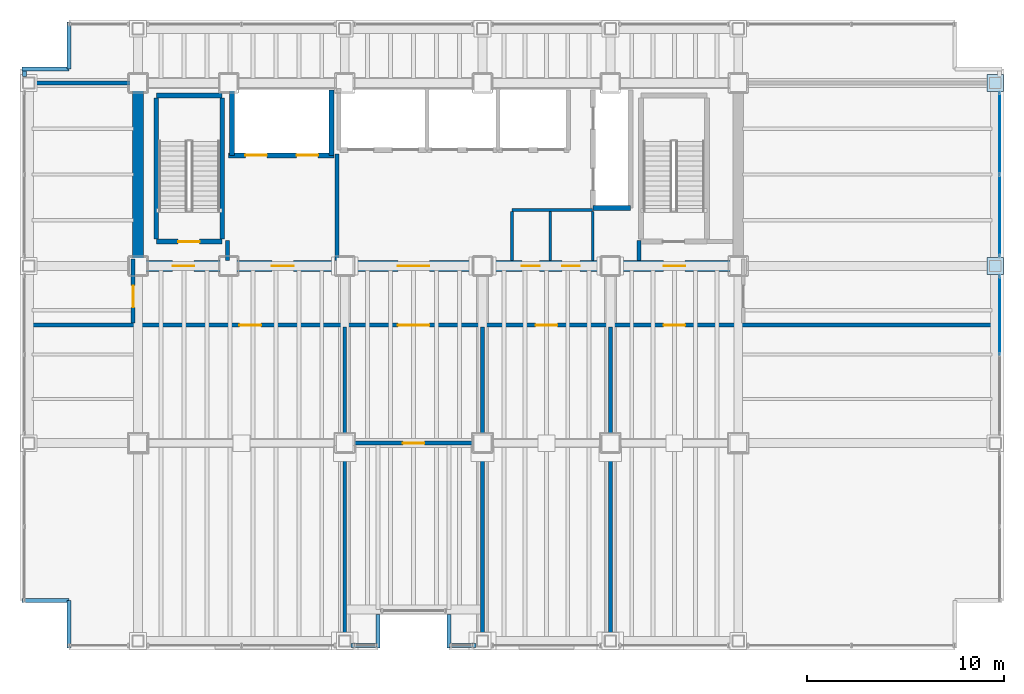
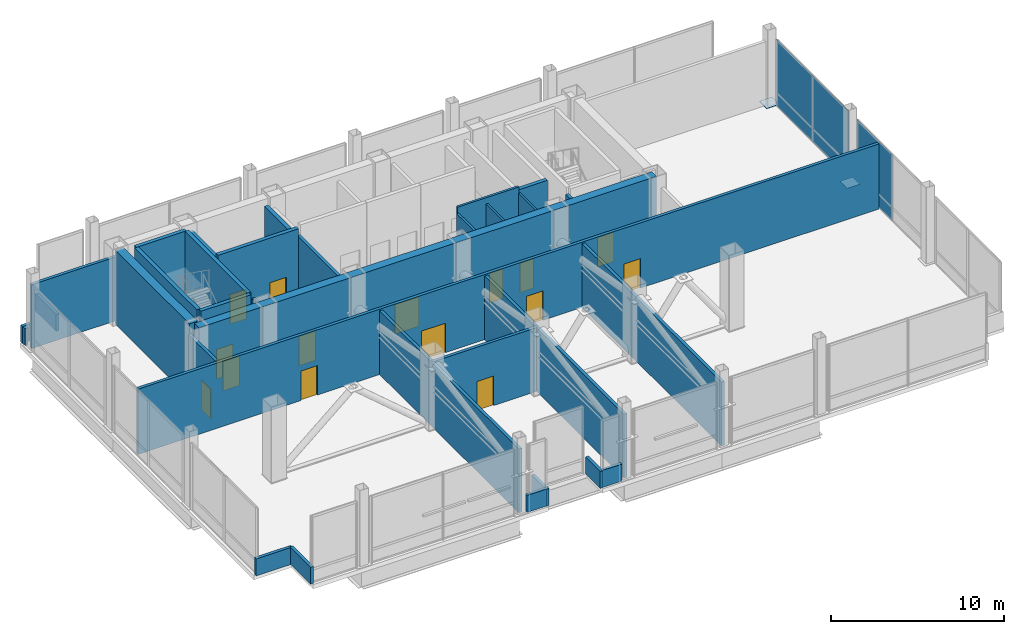
# One storey, part 18 of 20: 33 walls, 15 doors, 5 plates, 15 openings, 2 elements without a shape of their own.
"""IFC4 building model written with IfcOpenShell, lengths in metres."""

from ifc_helpers import new_model, si_unit, direction, frame, frame_2d, origin, origin_2d, place, context, subcontext, project, spatial, rectangle, extrude, material, layer, layer_set, type_object, element, fill, aggregate, save


model = new_model("IFC4")

# Units and contexts
model_context = context("Model", 3, precision=1e-05, world=origin(), true_north=direction((0.0, 1.0)))
body_context = subcontext(model_context, "Body", "Model", "MODEL_VIEW")
ifc_project = project(units=[si_unit("LENGTHUNIT", "METRE"), si_unit("AREAUNIT", "SQUARE_METRE"), si_unit("VOLUMEUNIT", "CUBIC_METRE"), si_unit("PLANEANGLEUNIT", "RADIAN"), si_unit("MASSUNIT", "GRAM", prefix="KILO")], contexts=[model_context])

# Site, building, storey
site_placement = place(None, origin())
site = spatial("IfcSite", under=ifc_project, at=site_placement, CompositionType="ELEMENT")
building_placement = place(site_placement, origin())
building = spatial("IfcBuilding", under=site, at=building_placement, Name="Noeulbin Bourse Tower", CompositionType="ELEMENT")
storey_placement = place(building_placement, frame((0.0, 0.0, 100.60009765625)))
storey = spatial("IfcBuildingStorey", under=building, at=storey_placement, Name="L25", CompositionType="ELEMENT", Elevation=100.60009765625)

# Curtain wall, plate
ifc_material_1 = material(Name="Translucent Ceramic-Fritted Glass", Category="glass")
curtain_wall_type = type_object("IfcCurtainWallType", Name="CW-SYS-5", PredefinedType="NOTDEFINED", material=ifc_material_1)
curtain_wall_1_placement = place(storey_placement, origin())
curtain_wall_1 = element("IfcCurtainWall", 1, at=curtain_wall_1_placement, inside=storey, type_object=curtain_wall_type, Name="Unitised Curtain Wall CW-L25-E-S2", PredefinedType="NOTDEFINED")
ifc_layer_1 = layer(ifc_material_1, 0.035888671875)
ifc_layer_set_1 = layer_set([ifc_layer_1], Name="Translucent Ceramic-Fritted Glass")
plate_type_1 = type_object("IfcPlateType", Name="CW-SYS-5-PNL", PredefinedType="CURTAIN_PANEL", material=ifc_layer_set_1)
plate_1_placement = place(storey_placement, frame((57.280029296875, 26.52001953125, 0.0), z_axis=(0.0, 0.0, 1.0), x_axis=(0.0, 1.0, 0.0)))
plate_1 = element("IfcPlate", 2, at=plate_1_placement, type_object=plate_type_1, Name="Glazed Curtain Panel CW-L25-E-S2-P01", PredefinedType="CURTAIN_PANEL", context=body_context, shape_type="SweptSolid", body=[
    extrude(rectangle(XDim=4.0400390625, YDim=0.035888671875, at=origin_2d()), origin(), (0.0, 0.0, 1.0), 4.679931640625),
])
aggregate(curtain_wall_1, [plate_1])

# Curtain wall, plates
curtain_wall_2_placement = place(storey_placement, origin())
curtain_wall_2 = element("IfcCurtainWall", 3, at=curtain_wall_2_placement, inside=storey, type_object=curtain_wall_type, Name="Unitised Curtain Wall CW-L25-E-S3", PredefinedType="NOTDEFINED")
plate_2_placement = place(storey_placement, frame((57.280029296875, 31.554931640625, 0.0), z_axis=(0.0, 0.0, 1.0), x_axis=(0.0, 1.0, 0.0)))
plate_2 = element("IfcPlate", 4, at=plate_2_placement, type_object=plate_type_1, Name="Glazed Curtain Panel CW-L25-E-S3-P00", PredefinedType="CURTAIN_PANEL", context=body_context, shape_type="SweptSolid", body=[
    extrude(rectangle(XDim=4.18994140625, YDim=0.035888671875, at=origin_2d()), origin(), (0.0, 0.0, 1.0), 4.679931640625),
])
plate_3_placement = place(storey_placement, frame((57.280029296875, 35.7451171875, 0.0), z_axis=(0.0, 0.0, 1.0), x_axis=(0.0, 1.0, 0.0)))
plate_3 = element("IfcPlate", 5, at=plate_3_placement, type_object=plate_type_1, Name="Glazed Curtain Panel CW-L25-E-S3-P01", PredefinedType="CURTAIN_PANEL", context=body_context, shape_type="SweptSolid", body=[
    extrude(rectangle(XDim=4.18994140625, YDim=0.035888671875, at=origin_2d()), origin(), (0.0, 0.0, 1.0), 4.679931640625),
])
aggregate(curtain_wall_2, [plate_2, plate_3])

# Plates
ifc_material_2 = material(Name="Steel S355", Category="steel")
ifc_layer_2 = layer(ifc_material_2, 0.030029296875)
ifc_layer_set_2 = layer_set([ifc_layer_2], Name="Steel S355")
plate_type_2 = type_object("IfcPlateType", Name="PLT-BN1", PredefinedType="USERDEFINED", material=ifc_layer_set_2)
for number, where, z_axis, x_axis, name in (
    (6, (57.050048828125, 29.0, 0.0048828125), (0.0, 0.0, 1.0), (1.0, 0.0, 0.0), "Perimeter Column Splice Plate BN1-L25-15"),
    (7, (57.050048828125, 38.300048828125, 0.0048828125), (0.0, 0.0, 1.0), (1.0, 0.0, 0.0), "Perimeter Column Splice Plate BN1-L25-16"),
):
    element("IfcPlate", number, at=place(storey_placement, frame(where, z_axis=z_axis, x_axis=x_axis)), inside=storey, type_object=plate_type_2, Name=name, ObjectType="SPLICE PLATE", PredefinedType="USERDEFINED", context=body_context, shape_type="SweptSolid", body=[
        extrude(rectangle(XDim=0.85009765625, YDim=0.85009765625, at=origin_2d()), origin(), (0.0, 0.0, 1.0), 0.030029296875),
    ])

# Wall, openings, doors
ifc_material_3 = material(Name="Concrete C60/75", Category="concrete")
ifc_layer_3 = layer(ifc_material_3, 0.550048828125)
ifc_layer_set_3 = layer_set([ifc_layer_3], Name="Concrete C60/75")
wall_type_1 = type_object("IfcWallType", Name="WAL-CORE-550", PredefinedType="SHEAR", material=ifc_layer_set_3)
wall_1_placement = place(storey_placement, frame((13.5, 29.0, 0.0), z_axis=(0.0, 0.0, 1.0), x_axis=(1.0, 0.0, 0.0)))
wall_1 = element("IfcWall", 8, at=wall_1_placement, inside=storey, type_object=wall_type_1, Name="Rear Core South Shear Wall L25", PredefinedType="SHEAR", context=body_context, shape_type="SweptSolid", body=[
    extrude(rectangle(XDim=30.5, YDim=0.550048828125, at=frame_2d((15.25, 0.0))), origin(), (0.0, 0.0, 1.0), 5.219970703125),
])
opening_1_placement = place(wall_1_placement, frame((1.75, 0.0, 0.0)))
opening_1 = element("IfcOpeningElement", 9, at=opening_1_placement, cuts=wall_1, Name="Opening FD-11", PredefinedType="OPENING", context=body_context, shape_type="SweptSolid", body=[
    extrude(rectangle(XDim=1.10009765625, YDim=2.080078125, at=frame_2d((0.550048828125, 1.0400390625))), frame((0.0, 0.284912109375, 0.0), z_axis=(0.0, -1.0, 0.0), x_axis=(1.0, 0.0, 0.0)), (0.0, 0.0, 1.0), 0.570068359375),
])
opening_2_placement = place(wall_1_placement, frame((26.699951171875, 0.0, 0.0)))
opening_2 = element("IfcOpeningElement", 10, at=opening_2_placement, cuts=wall_1, Name="Opening FD-11", PredefinedType="OPENING", context=body_context, shape_type="SweptSolid", body=[
    extrude(rectangle(XDim=1.10009765625, YDim=2.080078125, at=frame_2d((0.550048828125, 1.0400390625))), frame((0.0, 0.284912109375, 0.0), z_axis=(0.0, -1.0, 0.0), x_axis=(1.0, 0.0, 0.0)), (0.0, 0.0, 1.0), 0.570068359375),
])
opening_3_placement = place(wall_1_placement, frame((6.800048828125, 0.0, 0.0)))
opening_3 = element("IfcOpeningElement", 11, at=opening_3_placement, cuts=wall_1, Name="Opening FD-11", PredefinedType="OPENING", context=body_context, shape_type="SweptSolid", body=[
    extrude(rectangle(XDim=1.10009765625, YDim=2.080078125, at=frame_2d((0.550048828125, 1.0400390625))), frame((0.0, 0.284912109375, 0.0), z_axis=(0.0, -1.0, 0.0), x_axis=(1.0, 0.0, 0.0)), (0.0, 0.0, 1.0), 0.570068359375),
])
opening_4_placement = place(wall_1_placement, frame((13.199951171875, 0.0, 0.0)))
opening_4 = element("IfcOpeningElement", 12, at=opening_4_placement, cuts=wall_1, Name="Opening ID-16", PredefinedType="OPENING", context=body_context, shape_type="SweptSolid", body=[
    extrude(rectangle(XDim=1.60009765625, YDim=2.080078125, at=frame_2d((0.800048828125, 1.0400390625))), frame((0.0, 0.284912109375, 0.0), z_axis=(0.0, -1.0, 0.0), x_axis=(1.0, 0.0, 0.0)), (0.0, 0.0, 1.0), 0.570068359375),
])
opening_5_placement = place(wall_1_placement, frame((19.5, 0.0, 0.0)))
opening_5 = element("IfcOpeningElement", 13, at=opening_5_placement, cuts=wall_1, Name="Opening FD-09", PredefinedType="OPENING", context=body_context, shape_type="SweptSolid", body=[
    extrude(rectangle(XDim=0.89990234375, YDim=2.080078125, at=frame_2d((0.449951171875, 1.0400390625))), frame((0.0, 0.284912109375, 0.0), z_axis=(0.0, -1.0, 0.0), x_axis=(1.0, 0.0, 0.0)), (0.0, 0.0, 1.0), 0.570068359375),
])
opening_6_placement = place(wall_1_placement, frame((21.550048828125, 0.0, 0.0)))
opening_6 = element("IfcOpeningElement", 14, at=opening_6_placement, cuts=wall_1, Name="Opening FD-09", PredefinedType="OPENING", context=body_context, shape_type="SweptSolid", body=[
    extrude(rectangle(XDim=0.89990234375, YDim=2.080078125, at=frame_2d((0.449951171875, 1.0400390625))), frame((0.0, 0.284912109375, 0.0), z_axis=(0.0, -1.0, 0.0), x_axis=(1.0, 0.0, 0.0)), (0.0, 0.0, 1.0), 0.570068359375),
])
ifc_material_4 = material(Name="Acoustic Glazed Aluminium", Category="aluminium")
door_type_1 = type_object("IfcDoorType", Name="DR-DBL-1600", OperationType="DOUBLE_DOOR_SINGLE_SWING", PredefinedType="DOOR", material=ifc_material_4)
door_1_placement = place(opening_4_placement, origin())
door_1 = element("IfcDoor", 15, at=door_1_placement, inside=storey, type_object=door_type_1, Name="Passenger Lift Lobby Portal L25", OperationType="DOUBLE_DOOR_SINGLE_SWING", OverallHeight=2.080078125, OverallWidth=1.60009765625, PredefinedType="DOOR", context=body_context, shape_type="SweptSolid", body=[
    extrude(rectangle(XDim=1.60009765625, YDim=2.080078125, at=frame_2d((0.800048828125, 1.0400390625))), frame((0.0, 0.02490234375, 0.0), z_axis=(0.0, -1.0, 0.0), x_axis=(1.0, 0.0, 0.0)), (0.0, 0.0, 1.0), 0.050048828125),
])
fill(opening_4, door_1)
ifc_material_5 = material(Name="Fire-Rated Timber Core", Category="wood")
door_type_2 = type_object("IfcDoorType", Name="DR-FD30-900", OperationType="SINGLE_SWING_RIGHT", PredefinedType="DOOR", material=ifc_material_5)
door_2_placement = place(opening_5_placement, origin())
door_2 = element("IfcDoor", 16, at=door_2_placement, inside=storey, type_object=door_type_2, Name="Interior Door L25-05", OperationType="SINGLE_SWING_LEFT", OverallHeight=2.080078125, OverallWidth=0.89990234375, PredefinedType="DOOR", context=body_context, shape_type="SweptSolid", body=[
    extrude(rectangle(XDim=0.89990234375, YDim=2.080078125, at=frame_2d((0.449951171875, 1.0400390625))), frame((0.0, 0.02490234375, 0.0), z_axis=(0.0, -1.0, 0.0), x_axis=(1.0, 0.0, 0.0)), (0.0, 0.0, 1.0), 0.050048828125),
])
fill(opening_5, door_2)
door_3_placement = place(opening_6_placement, origin())
door_3 = element("IfcDoor", 17, at=door_3_placement, inside=storey, type_object=door_type_2, Name="Interior Door L25-06", OperationType="SINGLE_SWING_RIGHT", OverallHeight=2.080078125, OverallWidth=0.89990234375, PredefinedType="DOOR", context=body_context, shape_type="SweptSolid", body=[
    extrude(rectangle(XDim=0.89990234375, YDim=2.080078125, at=frame_2d((0.449951171875, 1.0400390625))), frame((0.0, 0.02490234375, 0.0), z_axis=(0.0, -1.0, 0.0), x_axis=(1.0, 0.0, 0.0)), (0.0, 0.0, 1.0), 0.050048828125),
])
fill(opening_6, door_3)
ifc_material_6 = material(Name="Fire-Rated Insulated Steel", Category="steel")
door_type_3 = type_object("IfcDoorType", Name="DR-FD60-1100", OperationType="SINGLE_SWING_LEFT", PredefinedType="DOOR", material=ifc_material_6)
door_4_placement = place(opening_1_placement, origin())
door_4 = element("IfcDoor", 18, at=door_4_placement, inside=storey, type_object=door_type_3, Name="West Stair Lobby Door L25", OperationType="SINGLE_SWING_LEFT", OverallHeight=2.080078125, OverallWidth=1.10009765625, PredefinedType="DOOR", context=body_context, shape_type="SweptSolid", body=[
    extrude(rectangle(XDim=1.10009765625, YDim=2.080078125, at=frame_2d((0.550048828125, 1.0400390625))), frame((0.0, 0.02490234375, 0.0), z_axis=(0.0, -1.0, 0.0), x_axis=(1.0, 0.0, 0.0)), (0.0, 0.0, 1.0), 0.050048828125),
])
fill(opening_1, door_4)
door_5_placement = place(opening_2_placement, origin())
door_5 = element("IfcDoor", 19, at=door_5_placement, inside=storey, type_object=door_type_3, Name="East Stair Lobby Door L25", OperationType="SINGLE_SWING_RIGHT", OverallHeight=2.080078125, OverallWidth=1.10009765625, PredefinedType="DOOR", context=body_context, shape_type="SweptSolid", body=[
    extrude(rectangle(XDim=1.10009765625, YDim=2.080078125, at=frame_2d((0.550048828125, 1.0400390625))), frame((0.0, 0.02490234375, 0.0), z_axis=(0.0, -1.0, 0.0), x_axis=(1.0, 0.0, 0.0)), (0.0, 0.0, 1.0), 0.050048828125),
])
fill(opening_2, door_5)
door_6_placement = place(opening_3_placement, origin())
door_6 = element("IfcDoor", 20, at=door_6_placement, inside=storey, type_object=door_type_3, Name="Firefighting Lobby Door L25", OperationType="SINGLE_SWING_LEFT", OverallHeight=2.080078125, OverallWidth=1.10009765625, PredefinedType="DOOR", context=body_context, shape_type="SweptSolid", body=[
    extrude(rectangle(XDim=1.10009765625, YDim=2.080078125, at=frame_2d((0.550048828125, 1.0400390625))), frame((0.0, 0.02490234375, 0.0), z_axis=(0.0, -1.0, 0.0), x_axis=(1.0, 0.0, 0.0)), (0.0, 0.0, 1.0), 0.050048828125),
])
fill(opening_3, door_6)

# Wall
wall_2_placement = place(storey_placement, frame((13.5, 29.35009765625, 0.0), z_axis=(0.0, 0.0, 1.0), x_axis=(0.0, 1.0, 0.0)))
element("IfcWall", 21, at=wall_2_placement, inside=storey, type_object=wall_type_1, Name="Rear Core West Shear Wall L25", PredefinedType="SHEAR", context=body_context, shape_type="SweptSolid", body=[
    extrude(rectangle(XDim=8.599853515625, YDim=0.550048828125, at=frame_2d((4.2998046875, 0.0))), origin(), (0.0, 0.0, 1.0), 5.219970703125),
])

# Wall, openings, doors
ifc_material_7 = material(Name="Concrete C40/50", Category="concrete")
ifc_layer_4 = layer(ifc_material_7, 0.199951171875)
ifc_layer_set_4 = layer_set([ifc_layer_4], Name="Concrete C40/50")
wall_type_2 = type_object("IfcWallType", Name="WAL-FIRE-200", PredefinedType="STANDARD", material=ifc_layer_set_4)
wall_3_placement = place(storey_placement, frame((7.81005859375, 26.0, 0.0), z_axis=(0.0, 0.0, 1.0), x_axis=(1.0, 0.0, 0.0)))
wall_3 = element("IfcWall", 22, at=wall_3_placement, inside=storey, type_object=wall_type_2, Name="Interior Partition Wall L25-03", PredefinedType="STANDARD", context=body_context, shape_type="SweptSolid", body=[
    extrude(rectangle(XDim=49.3798828125, YDim=0.199951171875, at=frame_2d((24.68994140625, 0.0))), origin(), (0.0, 0.0, 1.0), 4.599853515625),
])
opening_7_placement = place(wall_3_placement, frame((10.840087890625, 0.0, 0.0)))
opening_7 = element("IfcOpeningElement", 23, at=opening_7_placement, cuts=wall_3, Name="Opening FD-11", PredefinedType="OPENING", context=body_context, shape_type="SweptSolid", body=[
    extrude(rectangle(XDim=1.10009765625, YDim=2.080078125, at=frame_2d((0.550048828125, 1.0400390625))), frame((0.0, 0.10986328125, 0.0), z_axis=(0.0, -1.0, 0.0), x_axis=(1.0, 0.0, 0.0)), (0.0, 0.0, 1.0), 0.219970703125),
])
opening_8_placement = place(wall_3_placement, frame((18.889892578125, 0.0, 0.0)))
opening_8 = element("IfcOpeningElement", 24, at=opening_8_placement, cuts=wall_3, Name="Opening ID-16", PredefinedType="OPENING", context=body_context, shape_type="SweptSolid", body=[
    extrude(rectangle(XDim=1.60009765625, YDim=2.080078125, at=frame_2d((0.800048828125, 1.0400390625))), frame((0.0, 0.10986328125, 0.0), z_axis=(0.0, -1.0, 0.0), x_axis=(1.0, 0.0, 0.0)), (0.0, 0.0, 1.0), 0.219970703125),
])
opening_9_placement = place(wall_3_placement, frame((25.889892578125, 0.0, 0.0)))
opening_9 = element("IfcOpeningElement", 25, at=opening_9_placement, cuts=wall_3, Name="Opening FD-11", PredefinedType="OPENING", context=body_context, shape_type="SweptSolid", body=[
    extrude(rectangle(XDim=1.10009765625, YDim=2.080078125, at=frame_2d((0.550048828125, 1.0400390625))), frame((0.0, 0.10986328125, 0.0), z_axis=(0.0, -1.0, 0.0), x_axis=(1.0, 0.0, 0.0)), (0.0, 0.0, 1.0), 0.219970703125),
])
opening_10_placement = place(wall_3_placement, frame((32.389892578125, 0.0, 0.0)))
opening_10 = element("IfcOpeningElement", 26, at=opening_10_placement, cuts=wall_3, Name="Opening FD-11", PredefinedType="OPENING", context=body_context, shape_type="SweptSolid", body=[
    extrude(rectangle(XDim=1.10009765625, YDim=2.080078125, at=frame_2d((0.550048828125, 1.0400390625))), frame((0.0, 0.10986328125, 0.0), z_axis=(0.0, -1.0, 0.0), x_axis=(1.0, 0.0, 0.0)), (0.0, 0.0, 1.0), 0.219970703125),
])
door_7_placement = place(opening_8_placement, origin())
door_7 = element("IfcDoor", 27, at=door_7_placement, inside=storey, type_object=door_type_1, Name="Interior Door L25-10", OperationType="DOUBLE_DOOR_SINGLE_SWING", OverallHeight=2.080078125, OverallWidth=1.60009765625, PredefinedType="DOOR", context=body_context, shape_type="SweptSolid", body=[
    extrude(rectangle(XDim=1.60009765625, YDim=2.080078125, at=frame_2d((0.800048828125, 1.0400390625))), frame((0.0, 0.02490234375, 0.0), z_axis=(0.0, -1.0, 0.0), x_axis=(1.0, 0.0, 0.0)), (0.0, 0.0, 1.0), 0.050048828125),
])
fill(opening_8, door_7)
door_8_placement = place(opening_7_placement, origin())
door_8 = element("IfcDoor", 28, at=door_8_placement, inside=storey, type_object=door_type_3, Name="Interior Door L25-09", OperationType="SINGLE_SWING_LEFT", OverallHeight=2.080078125, OverallWidth=1.10009765625, PredefinedType="DOOR", context=body_context, shape_type="SweptSolid", body=[
    extrude(rectangle(XDim=1.10009765625, YDim=2.080078125, at=frame_2d((0.550048828125, 1.0400390625))), frame((0.0, 0.02490234375, 0.0), z_axis=(0.0, -1.0, 0.0), x_axis=(1.0, 0.0, 0.0)), (0.0, 0.0, 1.0), 0.050048828125),
])
fill(opening_7, door_8)
door_9_placement = place(opening_9_placement, origin())
door_9 = element("IfcDoor", 29, at=door_9_placement, inside=storey, type_object=door_type_3, Name="Interior Door L25-11", OperationType="SINGLE_SWING_LEFT", OverallHeight=2.080078125, OverallWidth=1.10009765625, PredefinedType="DOOR", context=body_context, shape_type="SweptSolid", body=[
    extrude(rectangle(XDim=1.10009765625, YDim=2.080078125, at=frame_2d((0.550048828125, 1.0400390625))), frame((0.0, 0.02490234375, 0.0), z_axis=(0.0, -1.0, 0.0), x_axis=(1.0, 0.0, 0.0)), (0.0, 0.0, 1.0), 0.050048828125),
])
fill(opening_9, door_9)
door_10_placement = place(opening_10_placement, origin())
door_10 = element("IfcDoor", 30, at=door_10_placement, inside=storey, type_object=door_type_3, Name="Interior Door L25-12", OperationType="SINGLE_SWING_RIGHT", OverallHeight=2.080078125, OverallWidth=1.10009765625, PredefinedType="DOOR", context=body_context, shape_type="SweptSolid", body=[
    extrude(rectangle(XDim=1.10009765625, YDim=2.080078125, at=frame_2d((0.550048828125, 1.0400390625))), frame((0.0, 0.02490234375, 0.0), z_axis=(0.0, -1.0, 0.0), x_axis=(1.0, 0.0, 0.0)), (0.0, 0.0, 1.0), 0.050048828125),
])
fill(opening_10, door_10)

# Wall
wall_4_placement = place(storey_placement, frame((7.81005859375, 38.300048828125, 0.0), z_axis=(0.0, 0.0, 1.0), x_axis=(1.0, 0.0, 0.0)))
element("IfcWall", 31, at=wall_4_placement, inside=storey, type_object=wall_type_2, Name="Interior Partition Wall L25-04", PredefinedType="STANDARD", context=body_context, shape_type="SweptSolid", body=[
    extrude(rectangle(XDim=5.68994140625, YDim=0.199951171875, at=frame_2d((2.844970703125, 0.0))), origin(), (0.0, 0.0, 1.0), 4.5),
])

# Wall, opening, door
wall_5_placement = place(storey_placement, frame((24.0, 20.0, 0.0), z_axis=(0.0, 0.0, 1.0), x_axis=(1.0, 0.0, 0.0)))
wall_5 = element("IfcWall", 32, at=wall_5_placement, inside=storey, type_object=wall_type_2, Name="Interior Partition Wall L25-06", PredefinedType="STANDARD", context=body_context, shape_type="SweptSolid", body=[
    extrude(rectangle(XDim=7.0, YDim=0.199951171875, at=frame_2d((3.5, 0.0))), origin(), (0.0, 0.0, 1.0), 4.5),
])
opening_11_placement = place(wall_5_placement, frame((2.949951171875, 0.0, 0.0)))
opening_11 = element("IfcOpeningElement", 33, at=opening_11_placement, cuts=wall_5, Name="Opening FD-11", PredefinedType="OPENING", context=body_context, shape_type="SweptSolid", body=[
    extrude(rectangle(XDim=1.10009765625, YDim=2.080078125, at=frame_2d((0.550048828125, 1.0400390625))), frame((0.0, 0.10986328125, 0.0), z_axis=(0.0, -1.0, 0.0), x_axis=(1.0, 0.0, 0.0)), (0.0, 0.0, 1.0), 0.219970703125),
])
door_11_placement = place(opening_11_placement, origin())
door_11 = element("IfcDoor", 34, at=door_11_placement, inside=storey, type_object=door_type_3, Name="Interior Door L25-13", OperationType="SINGLE_SWING_LEFT", OverallHeight=2.080078125, OverallWidth=1.10009765625, PredefinedType="DOOR", context=body_context, shape_type="SweptSolid", body=[
    extrude(rectangle(XDim=1.10009765625, YDim=2.080078125, at=frame_2d((0.550048828125, 1.0400390625))), frame((0.0, 0.02490234375, 0.0), z_axis=(0.0, -1.0, 0.0), x_axis=(1.0, 0.0, 0.0)), (0.0, 0.0, 1.0), 0.050048828125),
])
fill(opening_11, door_11)

# Walls
for number, where, z_axis, x_axis, name in (
    (35, (18.050048828125, 29.284912109375, 0.0), (0.0, 0.0, 1.0), (0.0, 1.0, 0.0), "Interior Partition Wall L25-07"),
    (36, (38.949951171875, 29.284912109375, 0.0), (0.0, 0.0, 1.0), (0.0, 1.0, 0.0), "Interior Partition Wall L25-08"),
):
    element("IfcWall", number, at=place(storey_placement, frame(where, z_axis=z_axis, x_axis=x_axis)), inside=storey, type_object=wall_type_2, Name=name, PredefinedType="STANDARD", context=body_context, shape_type="SweptSolid", body=[
        extrude(rectangle(XDim=1.01513671875, YDim=0.199951171875, at=frame_2d((0.507568359375, 0.0))), origin(), (0.0, 0.0, 1.0), 4.7998046875),
    ])
wall_6_placement = place(storey_placement, frame((23.60009765625, 29.284912109375, 0.0), z_axis=(0.0, 0.0, 1.0), x_axis=(0.0, 1.0, 0.0)))
element("IfcWall", 37, at=wall_6_placement, inside=storey, type_object=wall_type_2, Name="Interior Partition Wall L25-09", PredefinedType="STANDARD", context=body_context, shape_type="SweptSolid", body=[
    extrude(rectangle(XDim=5.4150390625, YDim=0.199951171875, at=frame_2d((2.70751953125, 0.0))), origin(), (0.0, 0.0, 1.0), 4.599853515625),
])

# Wall, opening, door
wall_7_placement = place(storey_placement, frame((13.25, 26.110107421875, 0.0), z_axis=(0.0, 0.0, 1.0), x_axis=(0.0, 1.0, 0.0)))
wall_7 = element("IfcWall", 38, at=wall_7_placement, inside=storey, type_object=wall_type_2, Name="Interior Partition Wall L25-13", PredefinedType="STANDARD", context=body_context, shape_type="SweptSolid", body=[
    extrude(rectangle(XDim=3.239990234375, YDim=0.199951171875, at=frame_2d((1.6201171875, 0.0))), origin(), (0.0, 0.0, 1.0), 4.5),
])
opening_12_placement = place(wall_7_placement, frame((0.7900390625, 0.0, 0.0)))
opening_12 = element("IfcOpeningElement", 39, at=opening_12_placement, cuts=wall_7, Name="Opening FD-11", PredefinedType="OPENING", context=body_context, shape_type="SweptSolid", body=[
    extrude(rectangle(XDim=1.10009765625, YDim=2.080078125, at=frame_2d((0.550048828125, 1.0400390625))), frame((0.0, 0.10986328125, 0.0), z_axis=(0.0, -1.0, 0.0), x_axis=(1.0, 0.0, 0.0)), (0.0, 0.0, 1.0), 0.219970703125),
])
door_12_placement = place(opening_12_placement, origin())
door_12 = element("IfcDoor", 40, at=door_12_placement, inside=storey, type_object=door_type_3, Name="Interior Door L25-07", OperationType="SINGLE_SWING_LEFT", OverallHeight=2.080078125, OverallWidth=1.10009765625, PredefinedType="DOOR", context=body_context, shape_type="SweptSolid", body=[
    extrude(rectangle(XDim=1.10009765625, YDim=2.080078125, at=frame_2d((0.550048828125, 1.0400390625))), frame((0.0, 0.02490234375, 0.0), z_axis=(0.0, -1.0, 0.0), x_axis=(1.0, 0.0, 0.0)), (0.0, 0.0, 1.0), 0.050048828125),
])
fill(opening_12, door_12)

# Walls
for number, where, z_axis, x_axis, name in (
    (41, (24.0, 9.81005859375, 0.0), (0.0, 0.0, 1.0), (0.0, 1.0, 0.0), "Interior Partition Wall L25-15"),
    (42, (31.0, 9.81005859375, 0.0), (0.0, 0.0, 1.0), (0.0, 1.0, 0.0), "Interior Partition Wall L25-16"),
    (43, (37.5, 9.81005859375, 0.0), (0.0, 0.0, 1.0), (0.0, 1.0, 0.0), "Interior Partition Wall L25-17"),
):
    element("IfcWall", number, at=place(storey_placement, frame(where, z_axis=z_axis, x_axis=x_axis)), inside=storey, type_object=wall_type_2, Name=name, PredefinedType="STANDARD", context=body_context, shape_type="SweptSolid", body=[
        extrude(rectangle(XDim=16.079833984375, YDim=0.199951171875, at=frame_2d((8.0400390625, 0.0))), origin(), (0.0, 0.0, 1.0), 4.5),
    ])
ifc_layer_5 = layer(ifc_material_7, 0.199951171875)
ifc_layer_set_5 = layer_set([ifc_layer_5], Name="Concrete C40/50")
wall_type_3 = type_object("IfcWallType", Name="WAL-PAR-200", PredefinedType="PARAPET", material=ifc_layer_set_5)
wall_8_placement = place(storey_placement, frame((7.719970703125, 38.6201171875, 0.0), z_axis=(0.0, 0.0, 1.0), x_axis=(0.0, 1.0, 0.0)))
element("IfcWall", 44, at=wall_8_placement, inside=storey, type_object=wall_type_3, Name="Perimeter Pier Spandrel Parapet L25-W1", PredefinedType="PARAPET", context=body_context, shape_type="SweptSolid", body=[
    extrude(rectangle(XDim=0.27978515625, YDim=0.199951171875, at=frame_2d((0.139892578125, 0.0))), origin(), (0.0, 0.0, 1.0), 1.199951171875),
])
for number, where, z_axis, x_axis, name in (
    (45, (24.320068359375, 9.719970703125, 0.0), (0.0, 0.0, 1.0), (1.0, 0.0, 0.0), "Perimeter Pier Spandrel Parapet L25-S3"),
    (46, (29.35009765625, 9.719970703125, 0.0), (0.0, 0.0, 1.0), (1.0, 0.0, 0.0), "Perimeter Pier Spandrel Parapet L25-S4"),
):
    element("IfcWall", number, at=place(storey_placement, frame(where, z_axis=z_axis, x_axis=x_axis)), inside=storey, type_object=wall_type_3, Name=name, PredefinedType="PARAPET", context=body_context, shape_type="SweptSolid", body=[
        extrude(rectangle(XDim=1.329833984375, YDim=0.199951171875, at=frame_2d((0.6650390625, 0.0))), origin(), (0.0, 0.0, 1.0), 1.199951171875),
    ])
for number, where, z_axis, x_axis, name in (
    (47, (7.60009765625, 12.0, 0.0), (0.0, 0.0, 1.0), (1.0, 0.0, 0.0), "Corner Notch Parapet L25-SW1"),
    (48, (10.0, 12.0, 0.0), (0.0, 0.0, 1.0), (0.0, -1.0, 0.0), "Corner Notch Parapet L25-SW2"),
    (49, (7.60009765625, 39.0, 0.0), (0.0, 0.0, 1.0), (1.0, 0.0, 0.0), "Corner Notch Parapet L25-NW1"),
    (50, (10.0, 39.0, 0.0), (0.0, 0.0, 1.0), (0.0, 1.0, 0.0), "Corner Notch Parapet L25-NW2"),
):
    element("IfcWall", number, at=place(storey_placement, frame(where, z_axis=z_axis, x_axis=x_axis)), inside=storey, type_object=wall_type_3, Name=name, PredefinedType="PARAPET", context=body_context, shape_type="SweptSolid", body=[
        extrude(rectangle(XDim=2.39990234375, YDim=0.199951171875, at=frame_2d((1.199951171875, 0.0))), origin(), (0.0, 0.0, 1.0), 1.199951171875),
    ])
for number, where, z_axis, x_axis, name in (
    (51, (25.699951171875, 9.60009765625, 0.0), (0.0, 0.0, 1.0), (0.0, 1.0, 0.0), "Sky-Garden Recess Parapet L25-W"),
    (52, (29.300048828125, 11.300048828125, 0.0), (0.0, 0.0, 1.0), (0.0, -1.0, 0.0), "Sky-Garden Recess Parapet L25-E"),
):
    element("IfcWall", number, at=place(storey_placement, frame(where, z_axis=z_axis, x_axis=x_axis)), inside=storey, type_object=wall_type_3, Name=name, PredefinedType="PARAPET", context=body_context, shape_type="SweptSolid", body=[
        extrude(rectangle(XDim=1.699951171875, YDim=0.199951171875, at=frame_2d((0.85009765625, 0.0))), origin(), (0.0, 0.0, 1.0), 1.199951171875),
    ])
ifc_material_8 = material(Name="Steel Stud Gypsum Partition", Category="steel")
ifc_layer_6 = layer(ifc_material_8, 0.1201171875)
ifc_layer_set_6 = layer_set([ifc_layer_6], Name="Steel Stud Gypsum Partition")
wall_type_4 = type_object("IfcWallType", Name="WAL-PRT-120", PredefinedType="PARTITIONING", material=ifc_layer_set_6)
for number, where, z_axis, x_axis, name in (
    (53, (36.60009765625, 29.284912109375, 0.0), (0.0, 0.0, 1.0), (0.0, 1.0, 0.0), "Interior Partition Wall L25-11"),
    (54, (34.449951171875, 29.284912109375, 0.0), (0.0, 0.0, 1.0), (0.0, 1.0, 0.0), "Interior Partition Wall L25-12"),
):
    element("IfcWall", number, at=place(storey_placement, frame(where, z_axis=z_axis, x_axis=x_axis)), inside=storey, type_object=wall_type_4, Name=name, PredefinedType="PARTITIONING", context=body_context, shape_type="SweptSolid", body=[
        extrude(rectangle(XDim=2.47998046875, YDim=0.1201171875, at=frame_2d((1.239990234375, 0.0))), origin(), (0.0, 0.0, 1.0), 4.7998046875),
    ])
ifc_material_9 = material(Name="Steel Stud Acoustic Gypsum Board", Category="steel")
ifc_layer_7 = layer(ifc_material_9, 0.14990234375)
ifc_layer_set_7 = layer_set([ifc_layer_7], Name="Steel Stud Acoustic Gypsum Board")
wall_type_5 = type_object("IfcWallType", Name="WAL-PRT-150", PredefinedType="PARTITIONING", material=ifc_layer_set_7)
wall_9_placement = place(storey_placement, frame((32.5, 31.85009765625, 0.0), z_axis=(0.0, 0.0, 1.0), x_axis=(1.0, 0.0, 0.0)))
element("IfcWall", 55, at=wall_9_placement, inside=storey, type_object=wall_type_5, Name="Interior Partition Wall L25-02", PredefinedType="PARTITIONING", context=body_context, shape_type="SweptSolid", body=[
    extrude(rectangle(XDim=4.10009765625, YDim=0.14990234375, at=frame_2d((2.050048828125, 0.0))), origin(), (0.0, 0.0, 1.0), 5.219970703125),
])
wall_10_placement = place(storey_placement, frame((32.5, 29.284912109375, 0.0), z_axis=(0.0, 0.0, 1.0), x_axis=(0.0, 1.0, 0.0)))
element("IfcWall", 56, at=wall_10_placement, inside=storey, type_object=wall_type_5, Name="Interior Partition Wall L25-10", PredefinedType="PARTITIONING", context=body_context, shape_type="SweptSolid", body=[
    extrude(rectangle(XDim=2.47998046875, YDim=0.14990234375, at=frame_2d((1.239990234375, 0.0))), origin(), (0.0, 0.0, 1.0), 4.7998046875),
])

# Wall, opening, door
ifc_layer_8 = layer(ifc_material_7, 0.25)
ifc_layer_set_8 = layer_set([ifc_layer_8], Name="Concrete C40/50")
wall_type_6 = type_object("IfcWallType", Name="WAL-SHFT-250", PredefinedType="STANDARD", material=ifc_layer_set_8)
wall_11_placement = place(storey_placement, frame((14.429931640625, 30.235107421875, 0.0), z_axis=(0.0, 0.0, 1.0), x_axis=(1.0, 0.0, 0.0)))
wall_11 = element("IfcWall", 57, at=wall_11_placement, inside=storey, type_object=wall_type_6, Name="Stair ST-1 South Shaft Wall L25", PredefinedType="STANDARD", context=body_context, shape_type="SweptSolid", body=[
    extrude(rectangle(XDim=3.340087890625, YDim=0.25, at=frame_2d((1.669921875, 0.0))), origin(), (0.0, 0.0, 1.0), 5.219970703125),
])
opening_13_placement = place(wall_11_placement, frame((1.10009765625, 0.0, 0.0)))
opening_13 = element("IfcOpeningElement", 58, at=opening_13_placement, cuts=wall_11, Name="Opening FD-11", PredefinedType="OPENING", context=body_context, shape_type="SweptSolid", body=[
    extrude(rectangle(XDim=1.10009765625, YDim=2.080078125, at=frame_2d((0.550048828125, 1.0400390625))), frame((0.0, 0.135009765625, 0.0), z_axis=(0.0, -1.0, 0.0), x_axis=(1.0, 0.0, 0.0)), (0.0, 0.0, 1.0), 0.27001953125),
])
door_13_placement = place(opening_13_placement, origin())
door_13 = element("IfcDoor", 59, at=door_13_placement, inside=storey, type_object=door_type_3, Name="Protected Stair Entry Door ST1-L25", OperationType="SINGLE_SWING_LEFT", OverallHeight=2.080078125, OverallWidth=1.10009765625, PredefinedType="DOOR", context=body_context, shape_type="SweptSolid", body=[
    extrude(rectangle(XDim=1.10009765625, YDim=2.080078125, at=frame_2d((0.550048828125, 1.0400390625))), frame((0.0, 0.02490234375, 0.0), z_axis=(0.0, -1.0, 0.0), x_axis=(1.0, 0.0, 0.0)), (0.0, 0.0, 1.0), 0.050048828125),
])
fill(opening_13, door_13)

# Walls
wall_12_placement = place(storey_placement, frame((14.429931640625, 37.6689453125, 0.0), z_axis=(0.0, 0.0, 1.0), x_axis=(1.0, 0.0, 0.0)))
element("IfcWall", 60, at=wall_12_placement, inside=storey, type_object=wall_type_6, Name="Stair ST-1 North Shaft Wall L25", PredefinedType="STANDARD", context=body_context, shape_type="SweptSolid", body=[
    extrude(rectangle(XDim=3.340087890625, YDim=0.25, at=frame_2d((1.669921875, 0.0))), origin(), (0.0, 0.0, 1.0), 5.219970703125),
])
for number, where, z_axis, x_axis, name in (
    (61, (14.425048828125, 30.360107421875, 0.0), (0.0, 0.0, 1.0), (0.0, 1.0, 0.0), "Stair ST-1 West Shaft Wall L25"),
    (62, (17.77490234375, 30.360107421875, 0.0), (0.0, 0.0, 1.0), (0.0, 1.0, 0.0), "Stair ST-1 East Shaft Wall L25"),
):
    element("IfcWall", number, at=place(storey_placement, frame(where, z_axis=z_axis, x_axis=x_axis)), inside=storey, type_object=wall_type_6, Name=name, PredefinedType="STANDARD", context=body_context, shape_type="SweptSolid", body=[
        extrude(rectangle(XDim=7.183837890625, YDim=0.25, at=frame_2d((3.591796875, 0.0))), origin(), (0.0, 0.0, 1.0), 5.219970703125),
    ])

# Wall, openings, doors
wall_13_placement = place(storey_placement, frame((18.10009765625, 34.6201171875, 0.0), z_axis=(0.0, 0.0, 1.0), x_axis=(1.0, 0.0, 0.0)))
wall_13 = element("IfcWall", 63, at=wall_13_placement, inside=storey, type_object=wall_type_6, Name="Firefighting Lift Shaft Front L25", PredefinedType="STANDARD", context=body_context, shape_type="SweptSolid", body=[
    extrude(rectangle(XDim=5.349853515625, YDim=0.25, at=frame_2d((2.6748046875, 0.0))), origin(), (0.0, 0.0, 1.0), 5.219970703125),
])
opening_14_placement = place(wall_13_placement, frame((0.85009765625, 0.0, 0.0)))
opening_14 = element("IfcOpeningElement", 64, at=opening_14_placement, cuts=wall_13, Name="Opening LD-11", PredefinedType="OPENING", context=body_context, shape_type="SweptSolid", body=[
    extrude(rectangle(XDim=1.10009765625, YDim=2.080078125, at=frame_2d((0.550048828125, 1.0400390625))), frame((0.0, 0.135009765625, 0.0), z_axis=(0.0, -1.0, 0.0), x_axis=(1.0, 0.0, 0.0)), (0.0, 0.0, 1.0), 0.27001953125),
])
opening_15_placement = place(wall_13_placement, frame((3.449951171875, 0.0, 0.0)))
opening_15 = element("IfcOpeningElement", 65, at=opening_15_placement, cuts=wall_13, Name="Opening LD-11", PredefinedType="OPENING", context=body_context, shape_type="SweptSolid", body=[
    extrude(rectangle(XDim=1.10009765625, YDim=2.080078125, at=frame_2d((0.550048828125, 1.0400390625))), frame((0.0, 0.135009765625, 0.0), z_axis=(0.0, -1.0, 0.0), x_axis=(1.0, 0.0, 0.0)), (0.0, 0.0, 1.0), 0.27001953125),
])
ifc_material_10 = material(Name="Brushed Stainless Steel 316", Category="steel")
door_type_4 = type_object("IfcDoorType", Name="DR-LIFT-1100", OperationType="SLIDING_TO_LEFT", PredefinedType="DOOR", material=ifc_material_10)
door_14_placement = place(opening_14_placement, origin())
door_14 = element("IfcDoor", 66, at=door_14_placement, inside=storey, type_object=door_type_4, Name="Lift Landing Door LD-FL-01-L25", OperationType="SLIDING_TO_LEFT", OverallHeight=2.080078125, OverallWidth=1.10009765625, PredefinedType="DOOR", context=body_context, shape_type="SweptSolid", body=[
    extrude(rectangle(XDim=1.10009765625, YDim=2.080078125, at=frame_2d((0.550048828125, 1.0400390625))), frame((0.0, 0.02490234375, 0.0), z_axis=(0.0, -1.0, 0.0), x_axis=(1.0, 0.0, 0.0)), (0.0, 0.0, 1.0), 0.050048828125),
])
fill(opening_14, door_14)
door_15_placement = place(opening_15_placement, origin())
door_15 = element("IfcDoor", 67, at=door_15_placement, inside=storey, type_object=door_type_4, Name="Lift Landing Door LD-FL-02-L25", OperationType="SLIDING_TO_LEFT", OverallHeight=2.080078125, OverallWidth=1.10009765625, PredefinedType="DOOR", context=body_context, shape_type="SweptSolid", body=[
    extrude(rectangle(XDim=1.10009765625, YDim=2.080078125, at=frame_2d((0.550048828125, 1.0400390625))), frame((0.0, 0.02490234375, 0.0), z_axis=(0.0, -1.0, 0.0), x_axis=(1.0, 0.0, 0.0)), (0.0, 0.0, 1.0), 0.050048828125),
])
fill(opening_15, door_15)

# Walls
wall_14_placement = place(storey_placement, frame((36.6201171875, 31.949951171875, 0.0), z_axis=(0.0, 0.0, 1.0), x_axis=(1.0, 0.0, 0.0)))
element("IfcWall", 68, at=wall_14_placement, inside=storey, type_object=wall_type_6, Name="Service Lift South Shaft Wall L25", PredefinedType="STANDARD", context=body_context, shape_type="SweptSolid", body=[
    extrude(rectangle(XDim=1.89990234375, YDim=0.25, at=frame_2d((0.949951171875, 0.0))), origin(), (0.0, 0.0, 1.0), 4.97998046875),
])
for number, where, z_axis, x_axis, name in (
    (69, (18.280029296875, 34.6201171875, 0.0), (0.0, 0.0, 1.0), (0.0, 1.0, 0.0), "Firefighting Lift West Shaft Wall L25"),
    (70, (23.320068359375, 34.6201171875, 0.0), (0.0, 0.0, 1.0), (0.0, 1.0, 0.0), "Firefighting Lift East Shaft Wall L25"),
):
    element("IfcWall", number, at=place(storey_placement, frame(where, z_axis=z_axis, x_axis=x_axis)), inside=storey, type_object=wall_type_6, Name=name, PredefinedType="STANDARD", context=body_context, shape_type="SweptSolid", body=[
        extrude(rectangle(XDim=3.329833984375, YDim=0.25, at=frame_2d((1.6650390625, 0.0))), origin(), (0.0, 0.0, 1.0), 4.7998046875),
    ])

save(model, "model.ifc")
